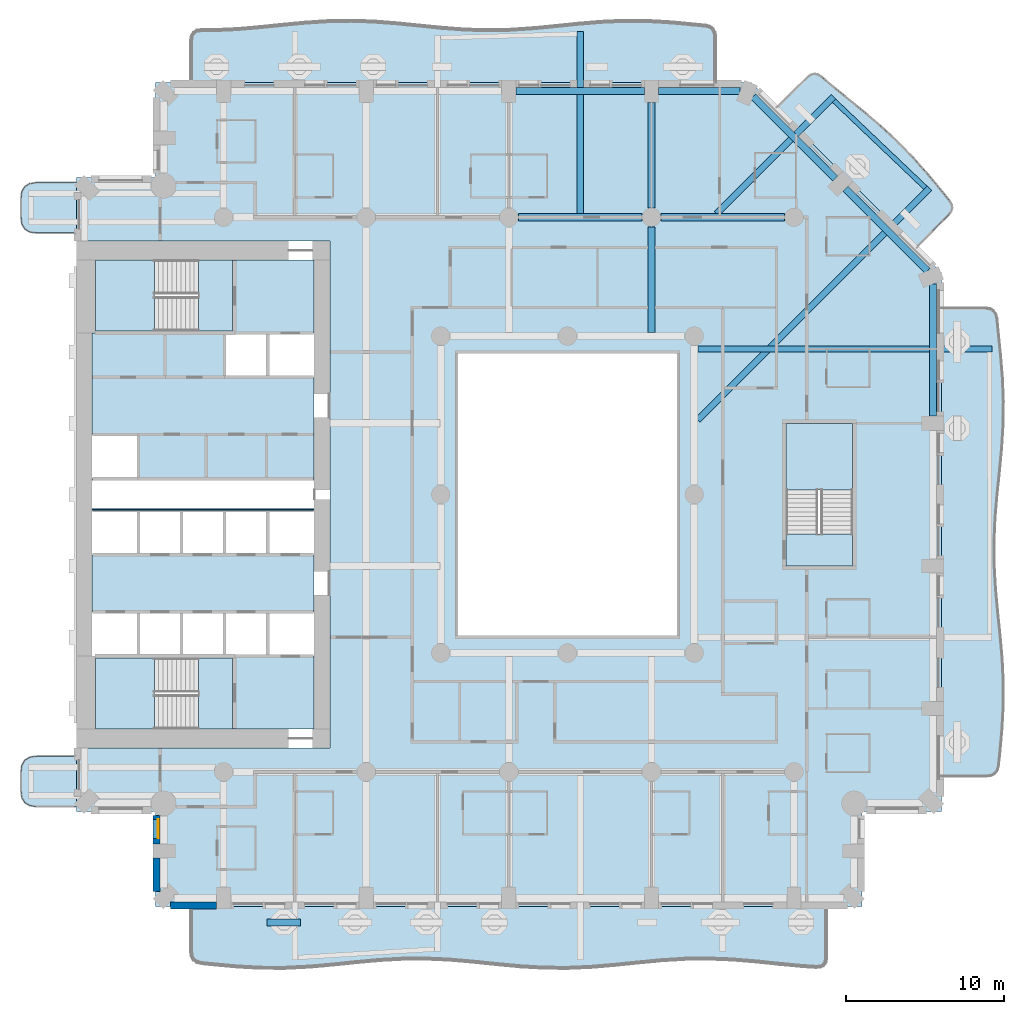
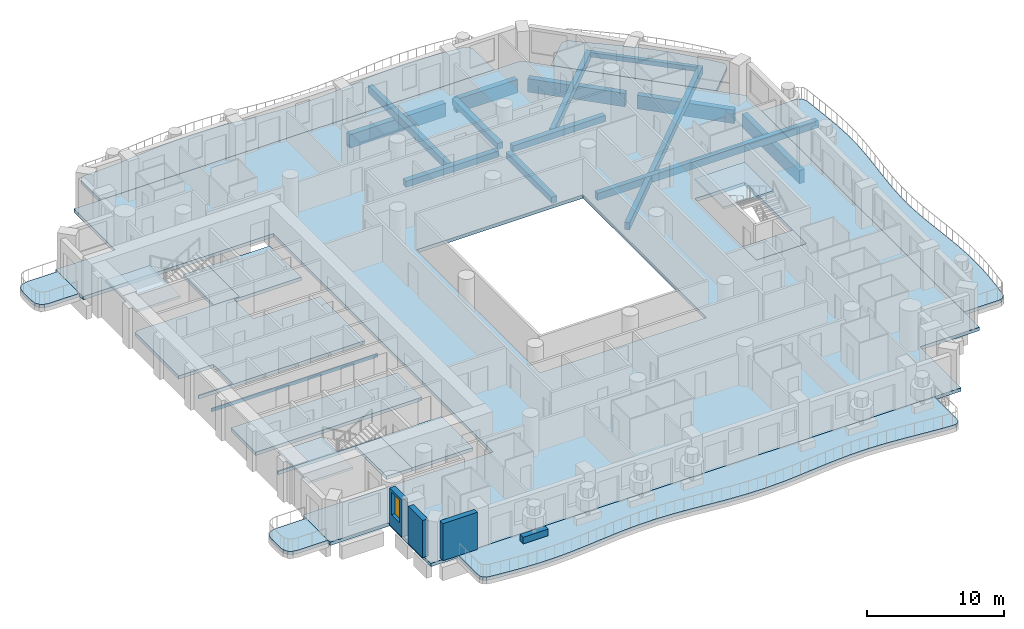
# One storey, part 2 of 20: 17 slabs, 14 beams, 4 walls, 1 window, 1 opening, 3 elements without a shape of their own.
"""IFC4 building model written with IfcOpenShell, lengths in metres."""

from ifc_helpers import new_model, si_unit, direction, frame, frame_2d, origin, origin_2d, place, context, subcontext, project, spatial, polyline, rectangle, outline, extrude, material, layer, layer_set, material_profile, profile_set, type_object, element, fill, aggregate, save


model = new_model("IFC4")

# Units and contexts
model_context = context("Model", 3, precision=1e-05, world=origin(), true_north=direction((0.0, 1.0)))
body_context = subcontext(model_context, "Body", "Model", "MODEL_VIEW")
ifc_project = project(units=[si_unit("LENGTHUNIT", "METRE"), si_unit("AREAUNIT", "SQUARE_METRE"), si_unit("VOLUMEUNIT", "CUBIC_METRE"), si_unit("PLANEANGLEUNIT", "RADIAN"), si_unit("MASSUNIT", "GRAM", prefix="KILO")], contexts=[model_context])

# Site, building, storey
site_placement = place(None, origin())
site = spatial("IfcSite", under=ifc_project, at=site_placement, CompositionType="ELEMENT")
building_placement = place(site_placement, origin())
building = spatial("IfcBuilding", under=site, at=building_placement, Name="Cypress Arch Tower", CompositionType="ELEMENT")
storey_placement = place(building_placement, frame((0.0, 0.0, 91.5)))
storey = spatial("IfcBuildingStorey", under=building, at=storey_placement, Name="L17", CompositionType="ELEMENT", Elevation=91.5)

# Beams
ifc_material_1 = material(Name="Concrete C50/60", Category="concrete")
ifc_material_profile_1 = material_profile(ifc_material_1, rectangle(XDim=0.300048828125, YDim=0.39990234375, at=origin_2d()), Name="RC 300x400")
ifc_profile_set_1 = profile_set([ifc_material_profile_1], Name="Concrete C50/60")
beam_type_1 = type_object("IfcBeamType", Name="Balcony edge beam RC 300x400 Concrete C50/60", PredefinedType="BEAM", material=ifc_profile_set_1)
beam_1_placement = place(storey_placement, frame((23.591064453125, 19.36181640625, -0.5), z_axis=(-0.724231246865, 0.689557177517, 0.0), x_axis=(-0.689557177517, -0.724231246865, 0.0)))
element("IfcBeam", 1, at=beam_1_placement, inside=storey, type_object=beam_type_1, Name="Balcony edge beam L17 A07", PredefinedType="BEAM", context=body_context, shape_type="SweptSolid", body=[
    extrude(rectangle(XDim=0.300048828125, YDim=0.39990234375, at=origin_2d()), origin(), (0.0, 0.0, 1.0), 7.96337890625),
])
ifc_material_2 = material(Name="Concrete C50/60", Category="concrete")
ifc_material_profile_2 = material_profile(ifc_material_2, rectangle(XDim=0.39990234375, YDim=0.64990234375, at=origin_2d()), Name="RC 400x650")
ifc_profile_set_2 = profile_set([ifc_material_profile_2], Name="Concrete C50/60")
beam_type_2 = type_object("IfcBeamType", Name="Cantilever beam RC 400x650 Concrete C50/60", PredefinedType="BEAM", material=ifc_profile_set_2)
beam_2_placement = place(storey_placement, frame((9.22509765625, 9.18798828125, -0.625), z_axis=(1.0, 0.0, 0.0), x_axis=(0.0, 1.0, 0.0)))
element("IfcBeam", 2, at=beam_2_placement, inside=storey, type_object=beam_type_2, Name="Cantilever beam L17 A06 2", PredefinedType="BEAM", context=body_context, shape_type="SweptSolid", body=[
    extrude(rectangle(XDim=0.39990234375, YDim=0.64990234375, at=origin_2d()), origin(), (0.0, 0.0, 1.0), 18.557373046875),
])
beam_3_placement = place(storey_placement, frame((9.22509765625, 4.712890625, -0.625), z_axis=(0.707106781187, 0.707106781187, 0.0), x_axis=(-0.707106781187, 0.707106781187, 0.0)))
element("IfcBeam", 3, at=beam_3_placement, inside=storey, type_object=beam_type_2, Name="Cantilever beam L17 A07 1", PredefinedType="BEAM", context=body_context, shape_type="SweptSolid", body=[
    extrude(rectangle(XDim=0.39990234375, YDim=0.64990234375, at=origin_2d()), origin(), (0.0, 0.0, 1.0), 20.666748046875),
])
beam_4_placement = place(storey_placement, frame((10.412841796875, 17.72509765625, -0.625), z_axis=(0.707118484087, 0.707095078093, 0.0), x_axis=(-0.707095078093, 0.707118484087, 0.0)))
element("IfcBeam", 4, at=beam_4_placement, inside=storey, type_object=beam_type_2, Name="Cantilever beam L17 A07 2", PredefinedType="BEAM", context=body_context, shape_type="SweptSolid", body=[
    extrude(rectangle(XDim=0.39990234375, YDim=0.64990234375, at=origin_2d()), origin(), (0.0, 0.0, 1.0), 10.4306640625),
])
beam_5_placement = place(storey_placement, frame((1.800048828125, 17.72509765625, -0.625), z_axis=(0.0, 1.0, 0.0), x_axis=(-1.0, 0.0, 0.0)))
element("IfcBeam", 5, at=beam_5_placement, inside=storey, type_object=beam_type_2, Name="Cantilever beam L17 A08 1", PredefinedType="BEAM", context=body_context, shape_type="SweptSolid", body=[
    extrude(rectangle(XDim=0.39990234375, YDim=0.64990234375, at=origin_2d()), origin(), (0.0, 0.0, 1.0), 11.495849609375),
])
ifc_material_3 = material(Name="Concrete C50/60", Category="concrete")
ifc_material_profile_3 = material_profile(ifc_material_3, rectangle(XDim=0.449951171875, YDim=0.550048828125, at=origin_2d()), Name="RC 450x550")
ifc_profile_set_3 = profile_set([ifc_material_profile_3], Name="Concrete C50/60")
beam_type_3 = type_object("IfcBeamType", Name="Floor beam RC 450x550 Concrete C50/60", PredefinedType="BEAM", material=ifc_profile_set_3)
for number, where, z_axis, x_axis, name in (
    (6, (-2.10009765625, 17.5, -0.574951171875), (1.0, 0.0, 0.0), (0.0, 1.0, 0.0), "Floor beam L17 FB017"),
    (7, (6.89990234375, 17.5, -0.574951171875), (1.0, 0.0, 0.0), (0.0, 1.0, 0.0), "Floor beam L17 FB018"),
):
    element("IfcBeam", number, at=place(storey_placement, frame(where, z_axis=z_axis, x_axis=x_axis)), inside=storey, type_object=beam_type_3, Name=name, PredefinedType="BEAM", context=body_context, shape_type="SweptSolid", body=[
        extrude(rectangle(XDim=0.449951171875, YDim=0.550048828125, at=origin_2d()), origin(), (0.0, 0.0, 1.0), 7.800048828125),
    ])
beam_6_placement = place(storey_placement, frame((6.300048828125, 10.22509765625, -0.574951171875), z_axis=(0.0, 1.0, 0.0), x_axis=(-1.0, 0.0, 0.0)))
element("IfcBeam", 8, at=beam_6_placement, inside=storey, type_object=beam_type_3, Name="Floor beam L17 FB032", PredefinedType="BEAM", context=body_context, shape_type="SweptSolid", body=[
    extrude(rectangle(XDim=0.449951171875, YDim=0.550048828125, at=origin_2d()), origin(), (0.0, 0.0, 1.0), 6.6748046875),
])
beam_7_placement = place(storey_placement, frame((6.300048828125, 18.10009765625, -0.574951171875), z_axis=(0.0, 1.0, 0.0), x_axis=(-1.0, 0.0, 0.0)))
element("IfcBeam", 9, at=beam_7_placement, inside=storey, type_object=beam_type_3, Name="Floor beam L17 FB033", PredefinedType="BEAM", context=body_context, shape_type="SweptSolid", body=[
    extrude(rectangle(XDim=0.449951171875, YDim=0.550048828125, at=origin_2d()), origin(), (0.0, 0.0, 1.0), 6.64990234375),
])
ifc_material_4 = material(Name="Concrete C50/60", Category="concrete")
ifc_material_profile_4 = material_profile(ifc_material_4, rectangle(XDim=0.449951171875, YDim=1.199951171875, at=origin_2d()), Name="RC 450x1200")
ifc_profile_set_4 = profile_set([ifc_material_profile_4], Name="Concrete C50/60")
beam_type_4 = type_object("IfcBeamType", Name="Spandrel beam RC 450x1200 Concrete C50/60", PredefinedType="SPANDREL", material=ifc_profile_set_4)
beam_8_placement = place(storey_placement, frame((24.074951171875, 4.949951171875, -1.550048828125), z_axis=(0.0, 1.0, 0.0), x_axis=(-1.0, 0.0, 0.0)))
element("IfcBeam", 10, at=beam_8_placement, inside=storey, type_object=beam_type_4, Name="Spandrel beam L17 BA06-3", PredefinedType="SPANDREL", context=body_context, shape_type="SweptSolid", body=[
    extrude(rectangle(XDim=0.449951171875, YDim=1.199951171875, at=origin_2d()), origin(), (0.0, 0.0, 1.0), 8.345458984375),
])
for number, where, z_axis, x_axis, name in (
    (11, (23.73046875, 14.126953125, -1.550048828125), (-0.707106781187, 0.707106781187, 0.0), (-0.707106781187, -0.707106781187, 0.0), "Spandrel beam L17 BA07-0"),
    (12, (17.91064453125, 19.947021484375, -1.550048828125), (-0.707106781187, 0.707106781187, 0.0), (-0.707106781187, -0.707106781187, 0.0), "Spandrel beam L17 BA07-1"),
):
    element("IfcBeam", number, at=place(storey_placement, frame(where, z_axis=z_axis, x_axis=x_axis)), inside=storey, type_object=beam_type_4, Name=name, PredefinedType="SPANDREL", context=body_context, shape_type="SweptSolid", body=[
        extrude(rectangle(XDim=0.449951171875, YDim=1.199951171875, at=origin_2d()), origin(), (0.0, 0.0, 1.0), 7.330810546875),
    ])
beam_9_placement = place(storey_placement, frame((11.8955078125, 25.47509765625, -1.550048828125), z_axis=(-1.0, 0.0, 0.0), x_axis=(0.0, -1.0, 0.0)))
element("IfcBeam", 13, at=beam_9_placement, inside=storey, type_object=beam_type_4, Name="Spandrel beam L17 BA08-0", PredefinedType="SPANDREL", context=body_context, shape_type="SweptSolid", body=[
    extrude(rectangle(XDim=0.449951171875, YDim=1.199951171875, at=origin_2d()), origin(), (0.0, 0.0, 1.0), 5.1455078125),
])
beam_10_placement = place(storey_placement, frame((5.85009765625, 25.47509765625, -1.550048828125), z_axis=(-1.0, 0.0, 0.0), x_axis=(0.0, -1.0, 0.0)))
element("IfcBeam", 14, at=beam_10_placement, inside=storey, type_object=beam_type_4, Name="Spandrel beam L17 BA08-1", PredefinedType="SPANDREL", context=body_context, shape_type="SweptSolid", body=[
    extrude(rectangle(XDim=0.449951171875, YDim=1.199951171875, at=origin_2d()), origin(), (0.0, 0.0, 1.0), 8.10009765625),
])

# Slabs
ifc_material_5 = material(Name="Concrete C40/50", Category="concrete")
ifc_layer_1 = layer(ifc_material_5, 0.300048828125)
ifc_layer_set_1 = layer_set([ifc_layer_1], Name="Balcony slab BS300")
slab_type_1 = type_object("IfcSlabType", Name="Balcony slab BS300", PredefinedType="USERDEFINED", material=ifc_layer_set_1)
slab_1_placement = place(storey_placement, frame((0.0, 0.0, -0.300048828125)))
element("IfcSlab", 15, at=slab_1_placement, inside=storey, type_object=slab_type_1, Name="Balcony slab L17-A00W0", ObjectType="BALCONY SLAB", PredefinedType="USERDEFINED", context=body_context, shape_type="SweptSolid", body=[
    extrude(outline(polyline([(-30.0, 19.699951171875), (-32.5, 19.699951171875), (-32.9375, 19.637451171875), (-33.25, 19.449951171875), (-33.4375, 19.137451171875), (-33.5, 18.699951171875), (-33.5, 17.5), (-33.4375, 17.0625), (-33.25, 16.75), (-32.9375, 16.5625), (-32.5, 16.5), (-30.0, 16.5), (-30.0, 19.699951171875)])), origin(), (0.0, 0.0, 1.0), 0.300048828125),
])
slab_2_placement = place(storey_placement, frame((0.0, 0.0, -0.300048828125)))
element("IfcSlab", 16, at=slab_2_placement, inside=storey, type_object=slab_type_1, Name="Balcony slab L17-A00W1", ObjectType="BALCONY SLAB", PredefinedType="USERDEFINED", context=body_context, shape_type="SweptSolid", body=[
    extrude(outline(polyline([(-30.0, -16.5), (-32.5, -16.5), (-32.9375, -16.5625), (-33.25, -16.75), (-33.4375, -17.0625), (-33.5, -17.5), (-33.5, -18.699951171875), (-33.4375, -19.137451171875), (-33.25, -19.449951171875), (-32.9375, -19.637451171875), (-32.5, -19.699951171875), (-30.0, -19.699951171875), (-30.0, -16.5)])), origin(), (0.0, 0.0, 1.0), 0.300048828125),
])
slab_3_placement = place(storey_placement, frame((0.0, 0.0, -0.300048828125)))
element("IfcSlab", 17, at=slab_3_placement, inside=storey, type_object=slab_type_1, Name="Balcony slab L17-A03", ObjectType="BALCONY SLAB", PredefinedType="USERDEFINED", context=body_context, shape_type="SweptSolid", body=[
    extrude(outline(polyline([(-22.75, -26.0), (-22.75, -28.850341796875), (-22.708251953125, -29.148681640625), (-22.5830078125, -29.37158203125), (-22.3740234375, -29.519287109375), (-22.081787109375, -29.591552734375), (-21.264892578125, -29.676025390625), (-19.779541015625, -29.809814453125), (-18.29443359375, -29.888427734375), (-16.809326171875, -29.891357421875), (-15.323974609375, -29.817626953125), (-13.8388671875, -29.6865234375), (-12.353759765625, -29.532958984375), (-10.868408203125, -29.396728515625), (-9.38330078125, -29.314208984375), (-7.898193359375, -29.306640625), (-6.412841796875, -29.376220703125), (-4.927734375, -29.504638671875), (-3.442626953125, -29.657958984375), (-1.95751953125, -29.796142578125), (-0.47216796875, -29.8828125), (1.012939453125, -29.895263671875), (2.498046875, -29.829833984375), (3.9833984375, -29.704345703125), (5.468505859375, -29.55126953125), (6.95361328125, -29.410888671875), (8.43896484375, -29.3203125), (9.924072265625, -29.30322265625), (11.4091796875, -29.3642578125), (12.89453125, -29.487060546875), (14.379638671875, -29.6396484375), (15.86474609375, -29.78173828125), (16.681640625, -29.833740234375), (16.97412109375, -29.810302734375), (17.182861328125, -29.697998046875), (17.308349609375, -29.496826171875), (17.35009765625, -29.20654296875), (17.35009765625, -26.0), (-22.75, -26.0)])), origin(), (0.0, 0.0, 1.0), 0.300048828125),
])
slab_4_placement = place(storey_placement, frame((0.0, 0.0, -0.300048828125)))
element("IfcSlab", 18, at=slab_4_placement, inside=storey, type_object=slab_type_1, Name="Balcony slab L17-A06", ObjectType="BALCONY SLAB", PredefinedType="USERDEFINED", context=body_context, shape_type="SweptSolid", body=[
    extrude(outline(polyline([(24.60009765625, -17.75), (27.455078125, -17.75), (27.751220703125, -17.70849609375), (27.97265625, -17.583984375), (28.119384765625, -17.376708984375), (28.191162109375, -17.086181640625), (28.275146484375, -16.27490234375), (28.408447265625, -14.800048828125), (28.487548828125, -13.324951171875), (28.492431640625, -11.85009765625), (28.421142578125, -10.375), (28.292724609375, -8.89990234375), (28.14013671875, -7.425048828125), (28.003173828125, -5.949951171875), (27.917236328125, -4.47509765625), (27.904541015625, -3.0), (27.968505859375, -1.52490234375), (28.092529296875, -0.050048828125), (28.244384765625, 1.425048828125), (28.384765625, 2.89990234375), (28.47705078125, 4.375), (28.497802734375, 5.85009765625), (28.441162109375, 7.324951171875), (28.322021484375, 8.800048828125), (28.171142578125, 10.27490234375), (28.092529296875, 11.086181640625), (28.0224609375, 11.376708984375), (27.87744140625, 11.583984375), (27.65673828125, 11.70849609375), (27.361083984375, 11.75), (24.60009765625, 11.75), (24.60009765625, -17.75)])), origin(), (0.0, 0.0, 1.0), 0.300048828125),
])
slab_5_placement = place(storey_placement, frame((0.0, 0.0, -0.300048828125)))
element("IfcSlab", 19, at=slab_5_placement, inside=storey, type_object=slab_type_1, Name="Balcony slab L17-A07", ObjectType="BALCONY SLAB", PredefinedType="USERDEFINED", context=body_context, shape_type="SweptSolid", body=[
    extrude(outline(polyline([(23.009033203125, 15.591064453125), (25.056396484375, 17.638427734375), (25.2255859375, 17.86279296875), (25.2900390625, 18.092529296875), (25.249755859375, 18.32763671875), (25.1044921875, 18.568359375), (24.62158203125, 19.1630859375), (23.732666015625, 20.233642578125), (22.81201171875, 21.272705078125), (21.846435546875, 22.266845703125), (20.83251953125, 23.212158203125), (19.77783203125, 24.1171875), (18.699951171875, 24.998779296875), (17.62109375, 25.87939453125), (17.039794921875, 26.3759765625), (16.803955078125, 26.52587890625), (16.572509765625, 26.570068359375), (16.344970703125, 26.5078125), (16.121826171875, 26.33984375), (14.19091796875, 24.408935546875), (23.009033203125, 15.591064453125)])), origin(), (0.0, 0.0, 1.0), 0.300048828125),
])
slab_6_placement = place(storey_placement, frame((0.0, 0.0, -0.300048828125)))
element("IfcSlab", 20, at=slab_6_placement, inside=storey, type_object=slab_type_1, Name="Balcony slab L17-A08", ObjectType="BALCONY SLAB", PredefinedType="USERDEFINED", context=body_context, shape_type="SweptSolid", body=[
    extrude(outline(polyline([(10.35009765625, 26.0), (10.35009765625, 28.871337890625), (10.3095703125, 29.160400390625), (10.18798828125, 29.37646484375), (9.98583984375, 29.519287109375), (9.702392578125, 29.58935546875), (8.910888671875, 29.67138671875), (7.4716796875, 29.802978515625), (6.03271484375, 29.88427734375), (4.593505859375, 29.895263671875), (3.154296875, 29.83349609375), (1.71533203125, 29.7138671875), (0.276123046875, 29.566162109375), (-1.1630859375, 29.4267578125), (-2.602294921875, 29.330322265625), (-4.041259765625, 29.30029296875), (-5.48046875, 29.344482421875), (-6.919677734375, 29.45166015625), (-8.358642578125, 29.595703125), (-9.7978515625, 29.74072265625), (-11.237060546875, 29.850830078125), (-12.676025390625, 29.899169921875), (-14.115234375, 29.873291015625), (-15.554443359375, 29.7802734375), (-16.993408203125, 29.642333984375), (-18.4326171875, 29.494140625), (-19.871826171875, 29.3720703125), (-21.310791015625, 29.306396484375), (-22.102294921875, 29.31005859375), (-22.3857421875, 29.27099609375), (-22.588134765625, 29.150390625), (-22.70947265625, 28.94873046875), (-22.75, 28.66552734375), (-22.75, 26.0), (10.35009765625, 26.0)])), origin(), (0.0, 0.0, 1.0), 0.300048828125),
])
ifc_material_6 = material(Name="Concrete C40/50", Category="concrete")
ifc_layer_2 = layer(ifc_material_6, 0.300048828125)
ifc_layer_set_2 = layer_set([ifc_layer_2], Name="Core floor CF300")
slab_type_2 = type_object("IfcSlabType", Name="Core floor CF300", PredefinedType="FLOOR", material=ifc_layer_set_2)
slab_7_placement = place(storey_placement, frame((0.0, 0.0, -0.300048828125)))
element("IfcSlab", 21, at=slab_7_placement, inside=storey, type_object=slab_type_2, Name="Core floor", PredefinedType="FLOOR", context=body_context, shape_type="SweptSolid", body=[
    extrude(outline(polyline([(-20.125, -14.800048828125), (-15.0, -14.800048828125), (-15.0, -10.199951171875), (-17.919921875, -10.199951171875), (-20.639892578125, -10.199951171875), (-23.360107421875, -10.199951171875), (-26.080078125, -10.199951171875), (-28.800048828125, -10.199951171875), (-28.800048828125, -10.324951171875), (-22.27490234375, -10.324951171875), (-20.125, -10.324951171875), (-20.125, -14.800048828125)])), origin(), (0.0, 0.0, 1.0), 0.300048828125),
])
slab_8_placement = place(storey_placement, frame((0.0, 0.0, -0.300048828125)))
element("IfcSlab", 22, at=slab_8_placement, inside=storey, type_object=slab_type_2, Name="Core floor", PredefinedType="FLOOR", context=body_context, shape_type="SweptSolid", body=[
    extrude(outline(polyline([(-29.0, -3.800048828125), (-29.0, -7.39990234375), (-26.080078125, -7.39990234375), (-23.360107421875, -7.39990234375), (-20.639892578125, -7.39990234375), (-17.919921875, -7.39990234375), (-15.0, -7.39990234375), (-15.0, -3.800048828125), (-17.919921875, -3.800048828125), (-20.639892578125, -3.800048828125), (-23.360107421875, -3.800048828125), (-26.080078125, -3.800048828125), (-29.0, -3.800048828125)])), origin(), (0.0, 0.0, 1.0), 0.300048828125),
])
slab_9_placement = place(storey_placement, frame((0.0, 0.0, -0.300048828125)))
element("IfcSlab", 23, at=slab_9_placement, inside=storey, type_object=slab_type_2, Name="Core floor", PredefinedType="FLOOR", context=body_context, shape_type="SweptSolid", body=[
    extrude(outline(polyline([(-29.0, 3.800048828125), (-29.0, 10.199951171875), (-28.800048828125, 10.199951171875), (-28.800048828125, 10.324951171875), (-28.60009765625, 10.324951171875), (-22.27490234375, 10.324951171875), (-20.125, 10.324951171875), (-20.125, 14.800048828125), (-15.39990234375, 14.800048828125), (-15.0, 14.800048828125), (-15.0, 10.199951171875), (-15.39990234375, 10.199951171875), (-17.919921875, 10.199951171875), (-20.639892578125, 10.199951171875), (-20.639892578125, 7.39990234375), (-17.919921875, 7.39990234375), (-15.39990234375, 7.39990234375), (-15.0, 7.39990234375), (-15.0, 0.89990234375), (-28.60009765625, 0.89990234375), (-29.0, 0.89990234375), (-29.0, 1.0), (-28.60009765625, 1.0), (-26.080078125, 1.0), (-26.080078125, 3.800048828125), (-28.60009765625, 3.800048828125), (-29.0, 3.800048828125)])), origin(), (0.0, 0.0, 1.0), 0.300048828125),
])
slab_10_placement = place(storey_placement, frame((0.0, 0.0, -0.300048828125)))
element("IfcSlab", 24, at=slab_10_placement, inside=storey, type_object=slab_type_2, Name="Core floor", PredefinedType="FLOOR", context=body_context, shape_type="SweptSolid", body=[
    extrude(outline(polyline([(-22.27490234375, -10.324951171875), (-22.27490234375, -14.800048828125), (-20.125, -14.800048828125), (-20.125, -10.324951171875), (-22.27490234375, -10.324951171875)])), origin(), (0.0, 0.0, 1.0), 0.300048828125),
])
slab_11_placement = place(storey_placement, frame((0.0, 0.0, -0.300048828125)))
element("IfcSlab", 25, at=slab_11_placement, inside=storey, type_object=slab_type_2, Name="Core floor", PredefinedType="FLOOR", context=body_context, shape_type="SweptSolid", body=[
    extrude(outline(polyline([(-20.125, 14.800048828125), (-22.27490234375, 14.800048828125), (-22.27490234375, 10.324951171875), (-20.125, 10.324951171875), (-20.125, 14.800048828125)])), origin(), (0.0, 0.0, 1.0), 0.300048828125),
])
slab_12_placement = place(storey_placement, frame((0.0, 0.0, -0.300048828125)))
element("IfcSlab", 26, at=slab_12_placement, inside=storey, type_object=slab_type_2, Name="Stair floor landing", PredefinedType="FLOOR", context=body_context, shape_type="SweptSolid", body=[
    extrude(outline(polyline([(19.0, -4.5), (19.0, -2.5), (14.800048828125, -2.5), (14.800048828125, -4.5), (19.0, -4.5)])), origin(), (0.0, 0.0, 1.0), 0.300048828125),
])
slab_13_placement = place(storey_placement, frame((0.0, 0.0, -0.300048828125)))
element("IfcSlab", 27, at=slab_13_placement, inside=storey, type_object=slab_type_2, Name="Core floor", PredefinedType="FLOOR", context=body_context, shape_type="SweptSolid", body=[
    extrude(outline(polyline([(-20.639892578125, -1.0), (-23.360107421875, -1.0), (-26.080078125, -1.0), (-28.60009765625, -1.0), (-29.0, -1.0), (-29.0, -0.89990234375), (-28.60009765625, -0.89990234375), (-15.39990234375, -0.89990234375), (-15.0, -0.89990234375), (-15.0, -1.0), (-15.39990234375, -1.0), (-17.919921875, -1.0), (-20.639892578125, -1.0)])), origin(), (0.0, 0.0, 1.0), 0.300048828125),
])
ifc_material_7 = material(Name="Concrete C40/50", Category="concrete")
ifc_layer_3 = layer(ifc_material_7, 0.300048828125)
ifc_layer_set_3 = layer_set([ifc_layer_3], Name="PT flat slab 300 Concrete C40/50")
slab_type_3 = type_object("IfcSlabType", Name="PT flat slab 300 Concrete C40/50", PredefinedType="FLOOR", material=ifc_layer_set_3)
slab_14_placement = place(storey_placement, frame((0.0, 0.0, -0.300048828125)))
element("IfcSlab", 28, at=slab_14_placement, inside=storey, type_object=slab_type_3, Name="Floor slab L17", PredefinedType="FLOOR", context=body_context, shape_type="SweptSolid", body=[
    extrude(outline(polyline([(-30.0, 20.0), (-25.0, 20.0), (-25.0, 26.0), (12.60009765625, 26.0), (24.60009765625, 14.0), (24.60009765625, -20.0), (19.60009765625, -20.0), (19.60009765625, -26.0), (-25.0, -26.0), (-25.0, -20.0), (-30.0, -20.0), (-30.0, -16.0), (-14.0, -16.0), (-14.0, 16.0), (-30.0, 16.0), (-30.0, 20.0)]), holes=[polyline([(-6.0, -9.0), (8.0, -9.0), (8.0, 9.0), (-6.0, 9.0), (-6.0, -9.0)]), polyline([(14.800048828125, -4.5), (19.0, -4.5), (19.0, 4.5), (14.800048828125, 4.5), (14.800048828125, -4.5)])]), origin(), (0.0, 0.0, 1.0), 0.300048828125),
])

# Stair, slab
ifc_material_8 = material(Name="Concrete C40/50", Category="concrete")
stair_type_1 = type_object("IfcStairType", Name="Exit stair ES1636-215", PredefinedType="HALF_TURN_STAIR", material=ifc_material_8)
stair_1_placement = place(storey_placement, origin())
stair_1 = element("IfcStair", 29, at=stair_1_placement, inside=storey, type_object=stair_type_1, Name="L17 Exit stair A", PredefinedType="HALF_TURN_STAIR")
ifc_material_9 = material(Name="Concrete C40/50", Category="concrete")
ifc_layer_4 = layer(ifc_material_9, 0.199951171875)
ifc_layer_set_4 = layer_set([ifc_layer_4], Name="Stair landing SL200")
slab_type_4 = type_object("IfcSlabType", Name="Stair landing SL200", PredefinedType="LANDING", material=ifc_layer_set_4)
slab_15_placement = place(storey_placement, frame((0.0, 0.0, 1.60009765625)))
slab_15 = element("IfcSlab", 30, at=slab_15_placement, type_object=slab_type_4, Name="A landing 1", PredefinedType="LANDING", context=body_context, shape_type="SweptSolid", body=[
    extrude(outline(polyline([(-25.074951171875, -10.324951171875), (-28.800048828125, -10.324951171875), (-28.800048828125, -14.800048828125), (-25.074951171875, -14.800048828125), (-25.074951171875, -10.324951171875)])), origin(), (0.0, 0.0, 1.0), 0.199951171875),
])
aggregate(stair_1, [slab_15])

stair_2_placement = place(storey_placement, origin())
stair_2 = element("IfcStair", 31, at=stair_2_placement, inside=storey, type_object=stair_type_1, Name="L17 Exit stair B", PredefinedType="HALF_TURN_STAIR")
slab_16_placement = place(storey_placement, frame((0.0, 0.0, 1.60009765625)))
slab_16 = element("IfcSlab", 32, at=slab_16_placement, type_object=slab_type_4, Name="B landing 1", PredefinedType="LANDING", context=body_context, shape_type="SweptSolid", body=[
    extrude(outline(polyline([(-25.074951171875, 14.800048828125), (-28.800048828125, 14.800048828125), (-28.800048828125, 10.324951171875), (-25.074951171875, 10.324951171875), (-25.074951171875, 14.800048828125)])), origin(), (0.0, 0.0, 1.0), 0.199951171875),
])
aggregate(stair_2, [slab_16])

ifc_material_10 = material(Name="Concrete C40/50", Category="concrete")
stair_type_2 = type_object("IfcStairType", Name="Exit stair ES1636-200", PredefinedType="HALF_TURN_STAIR", material=ifc_material_10)
stair_3_placement = place(storey_placement, origin())
stair_3 = element("IfcStair", 33, at=stair_3_placement, inside=storey, type_object=stair_type_2, Name="L17 Exit stair C", PredefinedType="HALF_TURN_STAIR")
slab_17_placement = place(storey_placement, frame((0.0, 0.0, 1.60009765625)))
slab_17 = element("IfcSlab", 34, at=slab_17_placement, type_object=slab_type_4, Name="C landing 1", PredefinedType="LANDING", context=body_context, shape_type="SweptSolid", body=[
    extrude(outline(polyline([(19.0, 0.300048828125), (19.0, 4.5), (14.800048828125, 4.5), (14.800048828125, 0.300048828125), (19.0, 0.300048828125)])), origin(), (0.0, 0.0, 1.0), 0.199951171875),
])
aggregate(stair_3, [slab_17])

# Wall
ifc_material_11 = material(Name="Concrete C40/50, waterproofed", Category="concrete")
ifc_layer_5 = layer(ifc_material_11, 0.449951171875)
ifc_layer_set_5 = layer_set([ifc_layer_5], Name="Balcony planter wall PW450")
wall_type_1 = type_object("IfcWallType", Name="Balcony planter wall PW450", PredefinedType="SOLIDWALL", material=ifc_layer_set_5)
wall_1_placement = place(storey_placement, frame((-17.949951171875, -27.0, 0.0), z_axis=(0.0, 0.0, 1.0), x_axis=(1.0, 0.0, 0.0)))
element("IfcWall", 35, at=wall_1_placement, inside=storey, type_object=wall_type_1, Name="Balcony planter wall L17-A03.1", PredefinedType="SOLIDWALL", context=body_context, shape_type="SweptSolid", body=[
    extrude(rectangle(XDim=2.099853515625, YDim=0.449951171875, at=frame_2d((1.0498046875, 0.0))), origin(), (0.0, 0.0, 1.0), 0.60009765625),
])

# Wall, opening, window
ifc_material_12 = material(Name="Brick (red buff blend)", Category="masonry")
ifc_layer_6 = layer(ifc_material_12, 0.449951171875)
ifc_layer_set_6 = layer_set([ifc_layer_6], Name="Brick pier and spandrel wall BW450")
wall_type_2 = type_object("IfcWallType", Name="Brick pier and spandrel wall BW450", PredefinedType="SOLIDWALL", material=ifc_layer_set_6)
wall_2_placement = place(storey_placement, frame((-24.925048828125, -20.258544921875, 0.0), z_axis=(0.0, 0.0, 1.0), x_axis=(0.0, -1.0, 0.0)))
wall_2 = element("IfcWall", 36, at=wall_2_placement, inside=storey, type_object=wall_type_2, Name="Brick wall L17 A02.0", PredefinedType="SOLIDWALL", context=body_context, shape_type="SweptSolid", body=[
    extrude(rectangle(XDim=1.79150390625, YDim=0.449951171875, at=frame_2d((0.895751953125, 0.0))), origin(), (0.0, 0.0, 1.0), 3.300048828125),
])
opening_placement = place(wall_2_placement, frame((0.241455078125, 0.0, 1.050048828125)))
opening = element("IfcOpeningElement", 37, at=opening_placement, cuts=wall_2, Name="Opening W120H", PredefinedType="OPENING", context=body_context, shape_type="SweptSolid", body=[
    extrude(rectangle(XDim=1.199951171875, YDim=2.0, at=frame_2d((0.60009765625, 1.0))), frame((0.0, 0.23486328125, 0.0), z_axis=(0.0, -1.0, 0.0), x_axis=(1.0, 0.0, 0.0)), (0.0, 0.0, 1.0), 0.469970703125),
])
ifc_material_13 = material(Name="Anodised aluminium, bronze finish, clear low-emissivity double glazing", Category="aluminium")
window_type = type_object("IfcWindowType", Name="Window Hotel 1200x2000", PartitioningType="SINGLE_PANEL", PredefinedType="WINDOW", material=ifc_material_13)
window_placement = place(opening_placement, origin())
window = element("IfcWindow", 38, at=window_placement, inside=storey, type_object=window_type, Name="Window L17 A02.0.1", OverallHeight=2.0, OverallWidth=1.199951171875, PartitioningType="SINGLE_PANEL", PredefinedType="WINDOW", context=body_context, shape_type="SweptSolid", body=[
    extrude(rectangle(XDim=1.199951171875, YDim=2.0, at=frame_2d((0.60009765625, 1.0))), frame((0.0, 0.135009765625, 0.0), z_axis=(0.0, -1.0, 0.0), x_axis=(1.0, 0.0, 0.0)), (0.0, 0.0, 1.0), 0.06005859375),
])
fill(opening, window)

# Walls
wall_3_placement = place(storey_placement, frame((-24.925048828125, -22.949951171875, 0.0), z_axis=(0.0, 0.0, 1.0), x_axis=(0.0, -1.0, 0.0)))
element("IfcWall", 39, at=wall_3_placement, inside=storey, type_object=wall_type_2, Name="Brick wall L17 A02.1", PredefinedType="SOLIDWALL", context=body_context, shape_type="SweptSolid", body=[
    extrude(rectangle(XDim=2.11376953125, YDim=0.449951171875, at=frame_2d((1.056884765625, 0.0))), origin(), (0.0, 0.0, 1.0), 3.300048828125),
])
wall_4_placement = place(storey_placement, frame((-24.063720703125, -25.925048828125, 0.0), z_axis=(0.0, 0.0, 1.0), x_axis=(1.0, 0.0, 0.0)))
element("IfcWall", 40, at=wall_4_placement, inside=storey, type_object=wall_type_2, Name="Brick wall L17 A03.0", PredefinedType="SOLIDWALL", context=body_context, shape_type="SweptSolid", body=[
    extrude(rectangle(XDim=2.913818359375, YDim=0.449951171875, at=frame_2d((1.45703125, 0.0))), origin(), (0.0, 0.0, 1.0), 3.300048828125),
])

save(model, "model.ifc")
